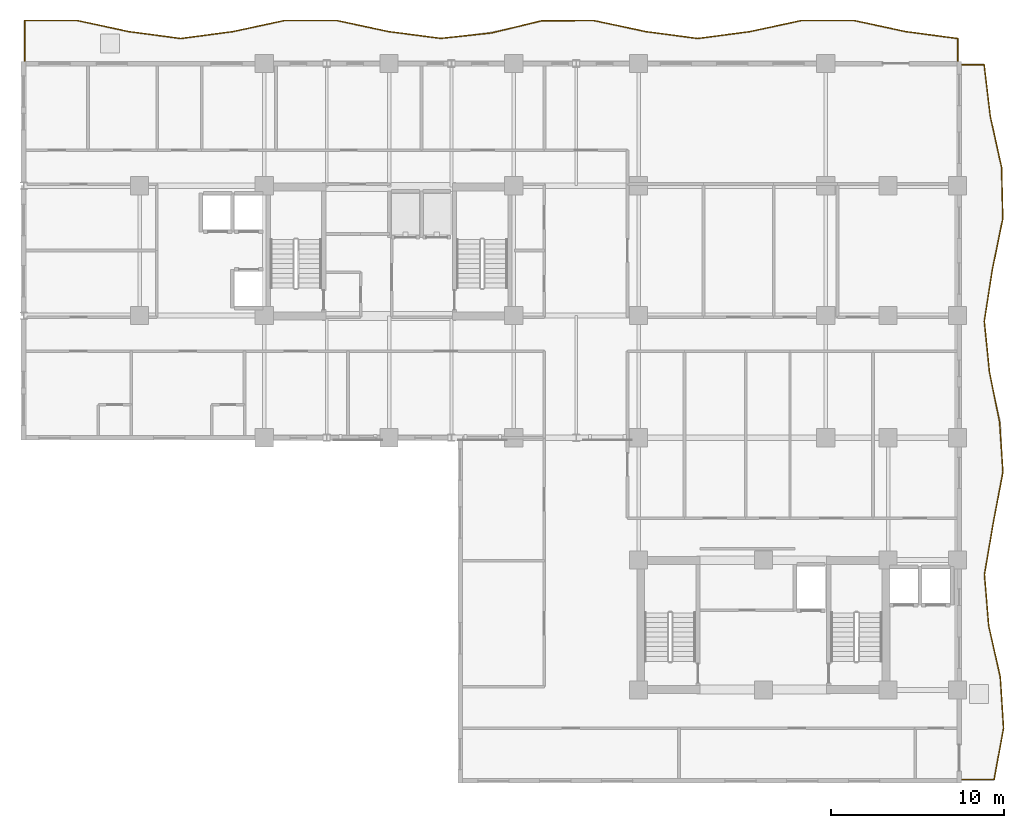
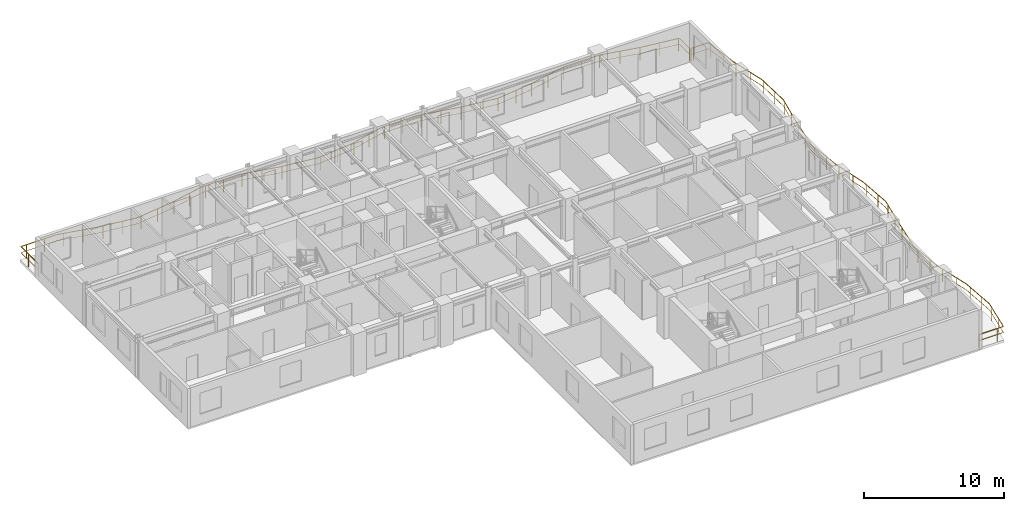
# One storey, part 13 of 14: 2 railings.
"""IFC4 building model written with IfcOpenShell, lengths in metres."""

from ifc_helpers import new_model, si_unit, direction, frame, origin, origin_2d, place, context, subcontext, project, spatial, rectangle, extrude, material, type_object, element, save


model = new_model("IFC4")

# Units and contexts
model_context = context("Model", 3, precision=1e-05, world=origin(), true_north=direction((0.0, 1.0)))
body_context = subcontext(model_context, "Body", "Model", "MODEL_VIEW")
ifc_project = project(units=[si_unit("LENGTHUNIT", "METRE"), si_unit("AREAUNIT", "SQUARE_METRE"), si_unit("VOLUMEUNIT", "CUBIC_METRE"), si_unit("PLANEANGLEUNIT", "RADIAN"), si_unit("MASSUNIT", "GRAM", prefix="KILO")], contexts=[model_context])

# Site, building, storey
site_placement = place(None, origin())
site = spatial("IfcSite", under=ifc_project, at=site_placement, CompositionType="ELEMENT")
building_placement = place(site_placement, origin())
building = spatial("IfcBuilding", under=site, at=building_placement, Name="Kaliganga Portal Commons", CompositionType="ELEMENT")
storey_placement = place(building_placement, frame((0.0, 0.0, 151.300048828125)))
storey = spatial("IfcBuildingStorey", under=building, at=storey_placement, Name="L38", CompositionType="ELEMENT", Elevation=151.300048828125)

# Railings
ifc_material = material(Name="Laminated Safety Glass and Stainless Steel 316", Category="steel")
railing_type = type_object("IfcRailingType", Name="RLG-BAL-1150", PredefinedType="BALUSTRADE", material=ifc_material)
railing_1_placement = place(storey_placement, frame((54.420166015625, 43.205322265625, 0.0)))
element("IfcRailing", 1, at=railing_1_placement, inside=storey, type_object=railing_type, Name="Balcony Guardrail L38 balc_north", PredefinedType="BALUSTRADE", context=body_context, shape_type="SweptSolid", body=[
    extrude(rectangle(XDim=0.048095703125, YDim=0.048095703125, at=origin_2d()), frame((0.0, 0.0, 1.1259765625), z_axis=(-0.000169692853, 0.999999985602, 0.0), x_axis=(-0.999999985602, -0.000169692853, 0.0)), (0.0, 0.0, 1.0), 1.438720703125),
    extrude(rectangle(XDim=0.028076171875, YDim=0.028076171875, at=origin_2d()), frame((0.0, 0.0, 0.597900390625), z_axis=(-0.000169692853, 0.999999985602, 0.0), x_axis=(-0.999999985602, -0.000169692853, 0.0)), (0.0, 0.0, 1.0), 1.438720703125),
    extrude(rectangle(XDim=0.048095703125, YDim=0.048095703125, at=origin_2d()), frame((-0.000244140625, 1.438720703125, 1.1259765625), z_axis=(-0.99128487682, 0.131735693672, 0.0), x_axis=(-0.131735693672, -0.99128487682, 0.0)), (0.0, 0.0, 1.0), 3.0263671875),
    extrude(rectangle(XDim=0.028076171875, YDim=0.028076171875, at=origin_2d()), frame((-0.000244140625, 1.438720703125, 0.597900390625), z_axis=(-0.99128487682, 0.131735693672, 0.0), x_axis=(-0.131735693672, -0.99128487682, 0.0)), (0.0, 0.0, 1.0), 3.0263671875),
    extrude(rectangle(XDim=0.048095703125, YDim=0.048095703125, at=origin_2d()), frame((-3.000244140625, 1.83740234375, 1.1259765625), z_axis=(-0.977706833375, 0.209974636497, 0.0), x_axis=(-0.209974636497, -0.977706833375, 0.0)), (0.0, 0.0, 1.0), 3.068359375),
    extrude(rectangle(XDim=0.028076171875, YDim=0.028076171875, at=origin_2d()), frame((-3.000244140625, 1.83740234375, 0.597900390625), z_axis=(-0.977706833375, 0.209974636497, 0.0), x_axis=(-0.209974636497, -0.977706833375, 0.0)), (0.0, 0.0, 1.0), 3.068359375),
    extrude(rectangle(XDim=0.048095703125, YDim=0.048095703125, at=origin_2d()), frame((-6.000244140625, 2.481689453125, 1.1259765625), z_axis=(-0.999999986752, -0.000162773661, 0.0), x_axis=(0.000162773661, -0.999999986752, 0.0)), (0.0, 0.0, 1.0), 2.999755859375),
    extrude(rectangle(XDim=0.028076171875, YDim=0.028076171875, at=origin_2d()), frame((-6.000244140625, 2.481689453125, 0.597900390625), z_axis=(-0.999999986752, -0.000162773661, 0.0), x_axis=(0.000162773661, -0.999999986752, 0.0)), (0.0, 0.0, 1.0), 2.999755859375),
    extrude(rectangle(XDim=0.048095703125, YDim=0.048095703125, at=origin_2d()), frame((-9.0, 2.481201171875, 1.1259765625), z_axis=(-0.977742994053, -0.209806190521, 0.0), x_axis=(0.209806190521, -0.977742994053, 0.0)), (0.0, 0.0, 1.0), 3.068603515625),
    extrude(rectangle(XDim=0.028076171875, YDim=0.028076171875, at=origin_2d()), frame((-9.0, 2.481201171875, 0.597900390625), z_axis=(-0.977742994053, -0.209806190521, 0.0), x_axis=(0.209806190521, -0.977742994053, 0.0)), (0.0, 0.0, 1.0), 3.068603515625),
    extrude(rectangle(XDim=0.048095703125, YDim=0.048095703125, at=origin_2d()), frame((-12.000244140625, 1.83740234375, 1.1259765625), z_axis=(-0.991347974495, -0.131260022339, 0.0), x_axis=(0.131260022339, -0.991347974495, 0.0)), (0.0, 0.0, 1.0), 3.026123046875),
    extrude(rectangle(XDim=0.028076171875, YDim=0.028076171875, at=origin_2d()), frame((-12.000244140625, 1.83740234375, 0.597900390625), z_axis=(-0.991347974495, -0.131260022339, 0.0), x_axis=(0.131260022339, -0.991347974495, 0.0)), (0.0, 0.0, 1.0), 3.026123046875),
    extrude(rectangle(XDim=0.048095703125, YDim=0.048095703125, at=origin_2d()), frame((-15.000244140625, 1.440185546875, 1.1259765625), z_axis=(-0.991347974495, 0.131260022339, 0.0), x_axis=(-0.131260022339, -0.991347974495, 0.0)), (0.0, 0.0, 1.0), 3.026123046875),
    extrude(rectangle(XDim=0.028076171875, YDim=0.028076171875, at=origin_2d()), frame((-15.000244140625, 1.440185546875, 0.597900390625), z_axis=(-0.991347974495, 0.131260022339, 0.0), x_axis=(-0.131260022339, -0.991347974495, 0.0)), (0.0, 0.0, 1.0), 3.026123046875),
    extrude(rectangle(XDim=0.048095703125, YDim=0.048095703125, at=origin_2d()), frame((-18.000244140625, 1.83740234375, 1.1259765625), z_axis=(-0.978106618555, 0.208104403459, 0.0), x_axis=(-0.208104403459, -0.978106618555, 0.0)), (0.0, 0.0, 1.0), 3.066650390625),
    extrude(rectangle(XDim=0.028076171875, YDim=0.028076171875, at=origin_2d()), frame((-18.000244140625, 1.83740234375, 0.597900390625), z_axis=(-0.978106618555, 0.208104403459, 0.0), x_axis=(-0.208104403459, -0.978106618555, 0.0)), (0.0, 0.0, 1.0), 3.066650390625),
    extrude(rectangle(XDim=0.048095703125, YDim=0.048095703125, at=origin_2d()), frame((-20.999755859375, 2.4755859375, 1.1259765625), z_axis=(-0.999996168338, -0.002768268175, 0.0), x_axis=(0.002768268175, -0.999996168338, 0.0)), (0.0, 0.0, 1.0), 2.99853515625),
    extrude(rectangle(XDim=0.028076171875, YDim=0.028076171875, at=origin_2d()), frame((-20.999755859375, 2.4755859375, 0.597900390625), z_axis=(-0.999996168338, -0.002768268175, 0.0), x_axis=(0.002768268175, -0.999996168338, 0.0)), (0.0, 0.0, 1.0), 2.99853515625),
    extrude(rectangle(XDim=0.048095703125, YDim=0.048095703125, at=origin_2d()), frame((-23.998291015625, 2.46728515625, 1.1259765625), z_axis=(-0.971726032894, -0.236111238608, 0.0), x_axis=(0.236111238608, -0.971726032894, 0.0)), (0.0, 0.0, 1.0), 3.0068359375),
    extrude(rectangle(XDim=0.028076171875, YDim=0.028076171875, at=origin_2d()), frame((-23.998291015625, 2.46728515625, 0.597900390625), z_axis=(-0.971726032894, -0.236111238608, 0.0), x_axis=(0.236111238608, -0.971726032894, 0.0)), (0.0, 0.0, 1.0), 3.0068359375),
    extrude(rectangle(XDim=0.048095703125, YDim=0.048095703125, at=origin_2d()), frame((-26.920166015625, 1.75732421875, 1.1259765625), z_axis=(-0.994438293084, -0.105320849063, 0.0), x_axis=(0.105320849063, -0.994438293084, 0.0)), (0.0, 0.0, 1.0), 2.93701171875),
    extrude(rectangle(XDim=0.028076171875, YDim=0.028076171875, at=origin_2d()), frame((-26.920166015625, 1.75732421875, 0.597900390625), z_axis=(-0.994438293084, -0.105320849063, 0.0), x_axis=(0.105320849063, -0.994438293084, 0.0)), (0.0, 0.0, 1.0), 2.93701171875),
    extrude(rectangle(XDim=0.048095703125, YDim=0.048095703125, at=origin_2d()), frame((-29.8408203125, 1.447998046875, 1.1259765625), z_axis=(-0.991687062692, 0.128673111757, 0.0), x_axis=(-0.128673111757, -0.991687062692, 0.0)), (0.0, 0.0, 1.0), 3.0244140625),
    extrude(rectangle(XDim=0.028076171875, YDim=0.028076171875, at=origin_2d()), frame((-29.8408203125, 1.447998046875, 0.597900390625), z_axis=(-0.991687062692, 0.128673111757, 0.0), x_axis=(-0.128673111757, -0.991687062692, 0.0)), (0.0, 0.0, 1.0), 3.0244140625),
    extrude(rectangle(XDim=0.048095703125, YDim=0.048095703125, at=origin_2d()), frame((-32.840087890625, 1.837158203125, 1.1259765625), z_axis=(-0.977922201683, 0.208969297878, 0.0), x_axis=(-0.208969297878, -0.977922201683, 0.0)), (0.0, 0.0, 1.0), 3.06787109375),
    extrude(rectangle(XDim=0.028076171875, YDim=0.028076171875, at=origin_2d()), frame((-32.840087890625, 1.837158203125, 0.597900390625), z_axis=(-0.977922201683, 0.208969297878, 0.0), x_axis=(-0.208969297878, -0.977922201683, 0.0)), (0.0, 0.0, 1.0), 3.06787109375),
    extrude(rectangle(XDim=0.048095703125, YDim=0.048095703125, at=origin_2d()), frame((-35.84033203125, 2.478271484375, 1.1259765625), z_axis=(-0.999999837743, 0.000569661366, 0.0), x_axis=(-0.000569661366, -0.999999837743, 0.0)), (0.0, 0.0, 1.0), 3.0),
    extrude(rectangle(XDim=0.028076171875, YDim=0.028076171875, at=origin_2d()), frame((-35.84033203125, 2.478271484375, 0.597900390625), z_axis=(-0.999999837743, 0.000569661366, 0.0), x_axis=(-0.000569661366, -0.999999837743, 0.0)), (0.0, 0.0, 1.0), 3.0),
    extrude(rectangle(XDim=0.048095703125, YDim=0.048095703125, at=origin_2d()), frame((-38.84033203125, 2.47998046875, 1.1259765625), z_axis=(-0.977817551415, -0.209458435364, 0.0), x_axis=(0.209458435364, -0.977817551415, 0.0)), (0.0, 0.0, 1.0), 3.06787109375),
    extrude(rectangle(XDim=0.028076171875, YDim=0.028076171875, at=origin_2d()), frame((-38.84033203125, 2.47998046875, 0.597900390625), z_axis=(-0.977817551415, -0.209458435364, 0.0), x_axis=(0.209458435364, -0.977817551415, 0.0)), (0.0, 0.0, 1.0), 3.06787109375),
    extrude(rectangle(XDim=0.048095703125, YDim=0.048095703125, at=origin_2d()), frame((-41.840087890625, 1.83740234375, 1.1259765625), z_axis=(-0.991316453184, -0.13149786936, 0.0), x_axis=(0.13149786936, -0.991316453184, 0.0)), (0.0, 0.0, 1.0), 3.0263671875),
    extrude(rectangle(XDim=0.028076171875, YDim=0.028076171875, at=origin_2d()), frame((-41.840087890625, 1.83740234375, 0.597900390625), z_axis=(-0.991316453184, -0.13149786936, 0.0), x_axis=(0.13149786936, -0.991316453184, 0.0)), (0.0, 0.0, 1.0), 3.0263671875),
    extrude(rectangle(XDim=0.048095703125, YDim=0.048095703125, at=origin_2d()), frame((-44.840087890625, 1.439453125, 1.1259765625), z_axis=(-0.991316453184, 0.13149786936, 0.0), x_axis=(-0.13149786936, -0.991316453184, 0.0)), (0.0, 0.0, 1.0), 3.0263671875),
    extrude(rectangle(XDim=0.028076171875, YDim=0.028076171875, at=origin_2d()), frame((-44.840087890625, 1.439453125, 0.597900390625), z_axis=(-0.991316453184, 0.13149786936, 0.0), x_axis=(-0.13149786936, -0.991316453184, 0.0)), (0.0, 0.0, 1.0), 3.0263671875),
    extrude(rectangle(XDim=0.048095703125, YDim=0.048095703125, at=origin_2d()), frame((-47.840087890625, 1.83740234375, 1.1259765625), z_axis=(-0.977690496299, 0.210050692564, 0.0), x_axis=(-0.210050692564, -0.977690496299, 0.0)), (0.0, 0.0, 1.0), 3.068359375),
    extrude(rectangle(XDim=0.028076171875, YDim=0.028076171875, at=origin_2d()), frame((-47.840087890625, 1.83740234375, 0.597900390625), z_axis=(-0.977690496299, 0.210050692564, 0.0), x_axis=(-0.210050692564, -0.977690496299, 0.0)), (0.0, 0.0, 1.0), 3.068359375),
    extrude(rectangle(XDim=0.048095703125, YDim=0.048095703125, at=origin_2d()), frame((-50.840087890625, 2.48193359375, 1.1259765625), z_axis=(-0.999999996689, 8.1380208e-05, 0.0), x_axis=(-8.1380208e-05, -0.999999996689, 0.0)), (0.0, 0.0, 1.0), 3.0),
    extrude(rectangle(XDim=0.028076171875, YDim=0.028076171875, at=origin_2d()), frame((-50.840087890625, 2.48193359375, 0.597900390625), z_axis=(-0.999999996689, 8.1380208e-05, 0.0), x_axis=(-8.1380208e-05, -0.999999996689, 0.0)), (0.0, 0.0, 1.0), 3.0),
    extrude(rectangle(XDim=0.048095703125, YDim=0.048095703125, at=origin_2d()), frame((-53.840087890625, 2.482177734375, 1.1259765625), z_axis=(-9.835743e-05, -0.999999995163, 0.0), x_axis=(0.999999995163, -9.835743e-05, 0.0)), (0.0, 0.0, 1.0), 2.482177734375),
    extrude(rectangle(XDim=0.028076171875, YDim=0.028076171875, at=origin_2d()), frame((-53.840087890625, 2.482177734375, 0.597900390625), z_axis=(-9.835743e-05, -0.999999995163, 0.0), x_axis=(0.999999995163, -9.835743e-05, 0.0)), (0.0, 0.0, 1.0), 2.482177734375),
    extrude(rectangle(XDim=0.0419921875, YDim=0.0419921875, at=origin_2d()), origin(), (0.0, 0.0, 1.0), 1.101806640625),
    extrude(rectangle(XDim=0.0419921875, YDim=0.0419921875, at=origin_2d()), frame((-0.06103515625, 1.44677734375, 0.0)), (0.0, 0.0, 1.0), 1.101806640625),
    extrude(rectangle(XDim=0.0419921875, YDim=0.0419921875, at=origin_2d()), frame((-1.5478515625, 1.644287109375, 0.0)), (0.0, 0.0, 1.0), 1.101806640625),
    extrude(rectangle(XDim=0.0419921875, YDim=0.0419921875, at=origin_2d()), frame((-3.034423828125, 1.8447265625, 0.0)), (0.0, 0.0, 1.0), 1.101806640625),
    extrude(rectangle(XDim=0.0419921875, YDim=0.0419921875, at=origin_2d()), frame((-4.5009765625, 2.15966796875, 0.0)), (0.0, 0.0, 1.0), 1.101806640625),
    extrude(rectangle(XDim=0.0419921875, YDim=0.0419921875, at=origin_2d()), frame((-6.000244140625, 2.481689453125, 0.0)), (0.0, 0.0, 1.0), 1.101806640625),
    extrude(rectangle(XDim=0.0419921875, YDim=0.0419921875, at=origin_2d()), frame((-7.466796875, 2.4814453125, 0.0)), (0.0, 0.0, 1.0), 1.101806640625),
    extrude(rectangle(XDim=0.0419921875, YDim=0.0419921875, at=origin_2d()), frame((-9.0, 2.481201171875, 0.0)), (0.0, 0.0, 1.0), 1.101806640625),
    extrude(rectangle(XDim=0.0419921875, YDim=0.0419921875, at=origin_2d()), frame((-10.43408203125, 2.173583984375, 0.0)), (0.0, 0.0, 1.0), 1.101806640625),
    extrude(rectangle(XDim=0.0419921875, YDim=0.0419921875, at=origin_2d()), frame((-12.000244140625, 1.83740234375, 0.0)), (0.0, 0.0, 1.0), 1.101806640625),
    extrude(rectangle(XDim=0.0419921875, YDim=0.0419921875, at=origin_2d()), frame((-13.38623046875, 1.65380859375, 0.0)), (0.0, 0.0, 1.0), 1.101806640625),
    extrude(rectangle(XDim=0.0419921875, YDim=0.0419921875, at=origin_2d()), frame((-15.000244140625, 1.440185546875, 0.0)), (0.0, 0.0, 1.0), 1.101806640625),
    extrude(rectangle(XDim=0.0419921875, YDim=0.0419921875, at=origin_2d()), frame((-16.3603515625, 1.620361328125, 0.0)), (0.0, 0.0, 1.0), 1.101806640625),
    extrude(rectangle(XDim=0.0419921875, YDim=0.0419921875, at=origin_2d()), frame((-17.847412109375, 1.817138671875, 0.0)), (0.0, 0.0, 1.0), 1.101806640625),
    extrude(rectangle(XDim=0.0419921875, YDim=0.0419921875, at=origin_2d()), frame((-19.316650390625, 2.117431640625, 0.0)), (0.0, 0.0, 1.0), 1.101806640625),
    extrude(rectangle(XDim=0.0419921875, YDim=0.0419921875, at=origin_2d()), frame((-20.78369140625, 2.4296875, 0.0)), (0.0, 0.0, 1.0), 1.101806640625),
    extrude(rectangle(XDim=0.0419921875, YDim=0.0419921875, at=origin_2d()), frame((-22.279052734375, 2.471923828125, 0.0)), (0.0, 0.0, 1.0), 1.101806640625),
    extrude(rectangle(XDim=0.0419921875, YDim=0.0419921875, at=origin_2d()), frame((-23.779052734375, 2.4677734375, 0.0)), (0.0, 0.0, 1.0), 1.101806640625),
    extrude(rectangle(XDim=0.0419921875, YDim=0.0419921875, at=origin_2d()), frame((-25.24267578125, 2.164794921875, 0.0)), (0.0, 0.0, 1.0), 1.101806640625),
    extrude(rectangle(XDim=0.0419921875, YDim=0.0419921875, at=origin_2d()), frame((-26.7001953125, 1.810791015625, 0.0)), (0.0, 0.0, 1.0), 1.101806640625),
    extrude(rectangle(XDim=0.0419921875, YDim=0.0419921875, at=origin_2d()), frame((-28.186767578125, 1.623291015625, 0.0)), (0.0, 0.0, 1.0), 1.101806640625),
    extrude(rectangle(XDim=0.0419921875, YDim=0.0419921875, at=origin_2d()), frame((-29.678466796875, 1.465087890625, 0.0)), (0.0, 0.0, 1.0), 1.101806640625),
    extrude(rectangle(XDim=0.0419921875, YDim=0.0419921875, at=origin_2d()), frame((-31.16650390625, 1.6201171875, 0.0)), (0.0, 0.0, 1.0), 1.101806640625),
    extrude(rectangle(XDim=0.0419921875, YDim=0.0419921875, at=origin_2d()), frame((-32.654052734375, 1.81298828125, 0.0)), (0.0, 0.0, 1.0), 1.101806640625),
    extrude(rectangle(XDim=0.0419921875, YDim=0.0419921875, at=origin_2d()), frame((-34.12353515625, 2.111328125, 0.0)), (0.0, 0.0, 1.0), 1.101806640625),
    extrude(rectangle(XDim=0.0419921875, YDim=0.0419921875, at=origin_2d()), frame((-35.59033203125, 2.4248046875, 0.0)), (0.0, 0.0, 1.0), 1.101806640625),
    extrude(rectangle(XDim=0.0419921875, YDim=0.0419921875, at=origin_2d()), frame((-37.084716796875, 2.47900390625, 0.0)), (0.0, 0.0, 1.0), 1.101806640625),
    extrude(rectangle(XDim=0.0419921875, YDim=0.0419921875, at=origin_2d()), frame((-38.584716796875, 2.479736328125, 0.0)), (0.0, 0.0, 1.0), 1.101806640625),
    extrude(rectangle(XDim=0.0419921875, YDim=0.0419921875, at=origin_2d()), frame((-40.05712890625, 2.21923828125, 0.0)), (0.0, 0.0, 1.0), 1.101806640625),
    extrude(rectangle(XDim=0.0419921875, YDim=0.0419921875, at=origin_2d()), frame((-41.52392578125, 1.905029296875, 0.0)), (0.0, 0.0, 1.0), 1.101806640625),
    extrude(rectangle(XDim=0.0419921875, YDim=0.0419921875, at=origin_2d()), frame((-43.00634765625, 1.6826171875, 0.0)), (0.0, 0.0, 1.0), 1.101806640625),
    extrude(rectangle(XDim=0.0419921875, YDim=0.0419921875, at=origin_2d()), frame((-44.493408203125, 1.4853515625, 0.0)), (0.0, 0.0, 1.0), 1.101806640625),
    extrude(rectangle(XDim=0.0419921875, YDim=0.0419921875, at=origin_2d()), frame((-45.98046875, 1.5908203125, 0.0)), (0.0, 0.0, 1.0), 1.101806640625),
    extrude(rectangle(XDim=0.0419921875, YDim=0.0419921875, at=origin_2d()), frame((-47.46728515625, 1.787841796875, 0.0)), (0.0, 0.0, 1.0), 1.101806640625),
    extrude(rectangle(XDim=0.0419921875, YDim=0.0419921875, at=origin_2d()), frame((-48.93896484375, 2.073486328125, 0.0)), (0.0, 0.0, 1.0), 1.101806640625),
    extrude(rectangle(XDim=0.0419921875, YDim=0.0419921875, at=origin_2d()), frame((-50.405517578125, 2.388671875, 0.0)), (0.0, 0.0, 1.0), 1.101806640625),
    extrude(rectangle(XDim=0.0419921875, YDim=0.0419921875, at=origin_2d()), frame((-51.895751953125, 2.48193359375, 0.0)), (0.0, 0.0, 1.0), 1.101806640625),
    extrude(rectangle(XDim=0.0419921875, YDim=0.0419921875, at=origin_2d()), frame((-53.395751953125, 2.482177734375, 0.0)), (0.0, 0.0, 1.0), 1.101806640625),
    extrude(rectangle(XDim=0.0419921875, YDim=0.0419921875, at=origin_2d()), frame((-53.840087890625, 1.426513671875, 0.0)), (0.0, 0.0, 1.0), 1.101806640625),
    extrude(rectangle(XDim=0.0419921875, YDim=0.0419921875, at=origin_2d()), frame((-53.84033203125, 0.0, 0.0)), (0.0, 0.0, 1.0), 1.101806640625),
])
railing_2_placement = place(storey_placement, frame((54.5068359375, 1.879638671875, 0.0)))
element("IfcRailing", 2, at=railing_2_placement, inside=storey, type_object=railing_type, Name="Balcony Guardrail L38 balc_east", PredefinedType="BALUSTRADE", context=body_context, shape_type="SweptSolid", body=[
    extrude(rectangle(XDim=0.048095703125, YDim=0.048095703125, at=origin_2d()), frame((0.0, 0.0, 1.1259765625), z_axis=(0.99999999265, 0.000121241512, 0.0), x_axis=(-0.000121241512, 0.99999999265, 0.0)), (0.0, 0.0, 1.0), 2.013671875),
    extrude(rectangle(XDim=0.028076171875, YDim=0.028076171875, at=origin_2d()), frame((0.0, 0.0, 0.597900390625), z_axis=(0.99999999265, 0.000121241512, 0.0), x_axis=(-0.000121241512, 0.99999999265, 0.0)), (0.0, 0.0, 1.0), 2.013671875),
    extrude(rectangle(XDim=0.048095703125, YDim=0.048095703125, at=origin_2d()), frame((2.013671875, 0.000244140625, 1.1259765625), z_axis=(0.181071495667, 0.983469935208, 0.0), x_axis=(-0.983469935208, 0.181071495667, 0.0)), (0.0, 0.0, 1.0), 3.0068359375),
    extrude(rectangle(XDim=0.028076171875, YDim=0.028076171875, at=origin_2d()), frame((2.013671875, 0.000244140625, 0.597900390625), z_axis=(0.181071495667, 0.983469935208, 0.0), x_axis=(-0.983469935208, 0.181071495667, 0.0)), (0.0, 0.0, 1.0), 3.0068359375),
    extrude(rectangle(XDim=0.048095703125, YDim=0.048095703125, at=origin_2d()), frame((2.55810546875, 2.957275390625, 1.1259765625), z_axis=(-0.064096442294, 0.997943708876, 0.0), x_axis=(-0.997943708876, -0.064096442294, 0.0)), (0.0, 0.0, 1.0), 2.96337890625),
    extrude(rectangle(XDim=0.028076171875, YDim=0.028076171875, at=origin_2d()), frame((2.55810546875, 2.957275390625, 0.597900390625), z_axis=(-0.064096442294, 0.997943708876, 0.0), x_axis=(-0.997943708876, -0.064096442294, 0.0)), (0.0, 0.0, 1.0), 2.96337890625),
    extrude(rectangle(XDim=0.048095703125, YDim=0.048095703125, at=origin_2d()), frame((2.3681640625, 5.91455078125, 1.1259765625), z_axis=(-0.220092788407, 0.97547894108, 0.0), x_axis=(-0.97547894108, -0.220092788407, 0.0)), (0.0, 0.0, 1.0), 3.031494140625),
    extrude(rectangle(XDim=0.028076171875, YDim=0.028076171875, at=origin_2d()), frame((2.3681640625, 5.91455078125, 0.597900390625), z_axis=(-0.220092788407, 0.97547894108, 0.0), x_axis=(-0.97547894108, -0.220092788407, 0.0)), (0.0, 0.0, 1.0), 3.031494140625),
    extrude(rectangle(XDim=0.048095703125, YDim=0.048095703125, at=origin_2d()), frame((1.700927734375, 8.871826171875, 1.1259765625), z_axis=(-0.082527948874, 0.996588750516, 0.0), x_axis=(-0.996588750516, -0.082527948874, 0.0)), (0.0, 0.0, 1.0), 2.967041015625),
    extrude(rectangle(XDim=0.028076171875, YDim=0.028076171875, at=origin_2d()), frame((1.700927734375, 8.871826171875, 0.597900390625), z_axis=(-0.082527948874, 0.996588750516, 0.0), x_axis=(-0.996588750516, -0.082527948874, 0.0)), (0.0, 0.0, 1.0), 2.967041015625),
    extrude(rectangle(XDim=0.048095703125, YDim=0.048095703125, at=origin_2d()), frame((1.4560546875, 11.828857421875, 1.1259765625), z_axis=(0.168132523146, 0.985764401194, 0.0), x_axis=(-0.985764401194, 0.168132523146, 0.0)), (0.0, 0.0, 1.0), 3.0),
    extrude(rectangle(XDim=0.028076171875, YDim=0.028076171875, at=origin_2d()), frame((1.4560546875, 11.828857421875, 0.597900390625), z_axis=(0.168132523146, 0.985764401194, 0.0), x_axis=(-0.985764401194, 0.168132523146, 0.0)), (0.0, 0.0, 1.0), 3.0),
    extrude(rectangle(XDim=0.048095703125, YDim=0.048095703125, at=origin_2d()), frame((1.96044921875, 14.7861328125, 1.1259765625), z_axis=(0.186865911228, 0.982385429056, 0.0), x_axis=(-0.982385429056, 0.186865911228, 0.0)), (0.0, 0.0, 1.0), 3.007568359375),
    extrude(rectangle(XDim=0.028076171875, YDim=0.028076171875, at=origin_2d()), frame((1.96044921875, 14.7861328125, 0.597900390625), z_axis=(0.186865911228, 0.982385429056, 0.0), x_axis=(-0.982385429056, 0.186865911228, 0.0)), (0.0, 0.0, 1.0), 3.007568359375),
    extrude(rectangle(XDim=0.048095703125, YDim=0.048095703125, at=origin_2d()), frame((2.5224609375, 17.74072265625, 1.1259765625), z_axis=(-0.066490937245, 0.997787029012, 0.0), x_axis=(-0.997787029012, -0.066490937245, 0.0)), (0.0, 0.0, 1.0), 2.885986328125),
    extrude(rectangle(XDim=0.028076171875, YDim=0.028076171875, at=origin_2d()), frame((2.5224609375, 17.74072265625, 0.597900390625), z_axis=(-0.066490937245, 0.997787029012, 0.0), x_axis=(-0.997787029012, -0.066490937245, 0.0)), (0.0, 0.0, 1.0), 2.885986328125),
    extrude(rectangle(XDim=0.048095703125, YDim=0.048095703125, at=origin_2d()), frame((2.33056640625, 20.620361328125, 1.1259765625), z_axis=(-0.199073650247, 0.979984531397, 0.0), x_axis=(-0.979984531397, -0.199073650247, 0.0)), (0.0, 0.0, 1.0), 2.93603515625),
    extrude(rectangle(XDim=0.028076171875, YDim=0.028076171875, at=origin_2d()), frame((2.33056640625, 20.620361328125, 0.597900390625), z_axis=(-0.199073650247, 0.979984531397, 0.0), x_axis=(-0.979984531397, -0.199073650247, 0.0)), (0.0, 0.0, 1.0), 2.93603515625),
    extrude(rectangle(XDim=0.048095703125, YDim=0.048095703125, at=origin_2d()), frame((1.74609375, 23.49755859375, 1.1259765625), z_axis=(-0.100536485393, 0.994933372194, 0.0), x_axis=(-0.994933372194, -0.100536485393, 0.0)), (0.0, 0.0, 1.0), 2.972412109375),
    extrude(rectangle(XDim=0.028076171875, YDim=0.028076171875, at=origin_2d()), frame((1.74609375, 23.49755859375, 0.597900390625), z_axis=(-0.100536485393, 0.994933372194, 0.0), x_axis=(-0.994933372194, -0.100536485393, 0.0)), (0.0, 0.0, 1.0), 2.972412109375),
    extrude(rectangle(XDim=0.048095703125, YDim=0.048095703125, at=origin_2d()), frame((1.447265625, 26.454833984375, 1.1259765625), z_axis=(0.154655563067, 0.9879684493, 0.0), x_axis=(-0.9879684493, 0.154655563067, 0.0)), (0.0, 0.0, 1.0), 2.9931640625),
    extrude(rectangle(XDim=0.028076171875, YDim=0.028076171875, at=origin_2d()), frame((1.447265625, 26.454833984375, 0.597900390625), z_axis=(0.154655563067, 0.9879684493, 0.0), x_axis=(-0.9879684493, 0.154655563067, 0.0)), (0.0, 0.0, 1.0), 2.9931640625),
    extrude(rectangle(XDim=0.048095703125, YDim=0.048095703125, at=origin_2d()), frame((1.91015625, 29.411865234375, 1.1259765625), z_axis=(0.200112143966, 0.979772999137, 0.0), x_axis=(-0.979772999137, 0.200112143966, 0.0)), (0.0, 0.0, 1.0), 3.018310546875),
    extrude(rectangle(XDim=0.028076171875, YDim=0.028076171875, at=origin_2d()), frame((1.91015625, 29.411865234375, 0.597900390625), z_axis=(0.200112143966, 0.979772999137, 0.0), x_axis=(-0.979772999137, 0.200112143966, 0.0)), (0.0, 0.0, 1.0), 3.018310546875),
    extrude(rectangle(XDim=0.048095703125, YDim=0.048095703125, at=origin_2d()), frame((2.51416015625, 32.369140625, 1.1259765625), z_axis=(-0.023936336741, 0.999713484846, 0.0), x_axis=(-0.999713484846, -0.023936336741, 0.0)), (0.0, 0.0, 1.0), 2.957763671875),
    extrude(rectangle(XDim=0.028076171875, YDim=0.028076171875, at=origin_2d()), frame((2.51416015625, 32.369140625, 0.597900390625), z_axis=(-0.023936336741, 0.999713484846, 0.0), x_axis=(-0.999713484846, -0.023936336741, 0.0)), (0.0, 0.0, 1.0), 2.957763671875),
    extrude(rectangle(XDim=0.048095703125, YDim=0.048095703125, at=origin_2d()), frame((2.443359375, 35.326171875, 1.1259765625), z_axis=(-0.215120184134, 0.976587582544, 0.0), x_axis=(-0.976587582544, -0.215120184134, 0.0)), (0.0, 0.0, 1.0), 3.02783203125),
    extrude(rectangle(XDim=0.028076171875, YDim=0.028076171875, at=origin_2d()), frame((2.443359375, 35.326171875, 0.597900390625), z_axis=(-0.215120184134, 0.976587582544, 0.0), x_axis=(-0.976587582544, -0.215120184134, 0.0)), (0.0, 0.0, 1.0), 3.02783203125),
    extrude(rectangle(XDim=0.048095703125, YDim=0.048095703125, at=origin_2d()), frame((1.7919921875, 38.283203125, 1.1259765625), z_axis=(-0.118695912213, 0.992930652374, 0.0), x_axis=(-0.992930652374, -0.118695912213, 0.0)), (0.0, 0.0, 1.0), 2.978271484375),
    extrude(rectangle(XDim=0.028076171875, YDim=0.028076171875, at=origin_2d()), frame((1.7919921875, 38.283203125, 0.597900390625), z_axis=(-0.118695912213, 0.992930652374, 0.0), x_axis=(-0.992930652374, -0.118695912213, 0.0)), (0.0, 0.0, 1.0), 2.978271484375),
    extrude(rectangle(XDim=0.048095703125, YDim=0.048095703125, at=origin_2d()), frame((1.4384765625, 41.240478515625, 1.1259765625), z_axis=(-0.999999985597, 0.000169721654, 0.0), x_axis=(-0.000169721654, -0.999999985597, 0.0)), (0.0, 0.0, 1.0), 1.4384765625),
    extrude(rectangle(XDim=0.028076171875, YDim=0.028076171875, at=origin_2d()), frame((1.4384765625, 41.240478515625, 0.597900390625), z_axis=(-0.999999985597, 0.000169721654, 0.0), x_axis=(-0.000169721654, -0.999999985597, 0.0)), (0.0, 0.0, 1.0), 1.4384765625),
    extrude(rectangle(XDim=0.0419921875, YDim=0.0419921875, at=origin_2d()), origin(), (0.0, 0.0, 1.0), 1.101806640625),
    extrude(rectangle(XDim=0.0419921875, YDim=0.0419921875, at=origin_2d()), frame((1.5, 0.000244140625, 0.0)), (0.0, 0.0, 1.0), 1.101806640625),
    extrude(rectangle(XDim=0.0419921875, YDim=0.0419921875, at=origin_2d()), frame((2.1923828125, 0.97021484375, 0.0)), (0.0, 0.0, 1.0), 1.101806640625),
    extrude(rectangle(XDim=0.0419921875, YDim=0.0419921875, at=origin_2d()), frame((2.4638671875, 2.445556640625, 0.0)), (0.0, 0.0, 1.0), 1.101806640625),
    extrude(rectangle(XDim=0.0419921875, YDim=0.0419921875, at=origin_2d()), frame((2.495361328125, 3.934814453125, 0.0)), (0.0, 0.0, 1.0), 1.101806640625),
    extrude(rectangle(XDim=0.0419921875, YDim=0.0419921875, at=origin_2d()), frame((2.399169921875, 5.431884765625, 0.0)), (0.0, 0.0, 1.0), 1.101806640625),
    extrude(rectangle(XDim=0.0419921875, YDim=0.0419921875, at=origin_2d()), frame((2.14453125, 6.90576171875, 0.0)), (0.0, 0.0, 1.0), 1.101806640625),
    extrude(rectangle(XDim=0.0419921875, YDim=0.0419921875, at=origin_2d()), frame((1.814453125, 8.369140625, 0.0)), (0.0, 0.0, 1.0), 1.101806640625),
    extrude(rectangle(XDim=0.0419921875, YDim=0.0419921875, at=origin_2d()), frame((1.61962890625, 9.85302734375, 0.0)), (0.0, 0.0, 1.0), 1.101806640625),
    extrude(rectangle(XDim=0.0419921875, YDim=0.0419921875, at=origin_2d()), frame((1.495849609375, 11.347900390625, 0.0)), (0.0, 0.0, 1.0), 1.101806640625),
    extrude(rectangle(XDim=0.0419921875, YDim=0.0419921875, at=origin_2d()), frame((1.627197265625, 12.831787109375, 0.0)), (0.0, 0.0, 1.0), 1.101806640625),
    extrude(rectangle(XDim=0.0419921875, YDim=0.0419921875, at=origin_2d()), frame((1.87939453125, 14.310546875, 0.0)), (0.0, 0.0, 1.0), 1.101806640625),
    extrude(rectangle(XDim=0.0419921875, YDim=0.0419921875, at=origin_2d()), frame((2.150634765625, 15.78564453125, 0.0)), (0.0, 0.0, 1.0), 1.101806640625),
    extrude(rectangle(XDim=0.0419921875, YDim=0.0419921875, at=origin_2d()), frame((2.430908203125, 17.25927734375, 0.0)), (0.0, 0.0, 1.0), 1.101806640625),
    extrude(rectangle(XDim=0.0419921875, YDim=0.0419921875, at=origin_2d()), frame((2.455322265625, 18.748291015625, 0.0)), (0.0, 0.0, 1.0), 1.101806640625),
    extrude(rectangle(XDim=0.0419921875, YDim=0.0419921875, at=origin_2d()), frame((2.35546875, 20.2451171875, 0.0)), (0.0, 0.0, 1.0), 1.101806640625),
    extrude(rectangle(XDim=0.0419921875, YDim=0.0419921875, at=origin_2d()), frame((2.10693359375, 21.7216796875, 0.0)), (0.0, 0.0, 1.0), 1.101806640625),
    extrude(rectangle(XDim=0.0419921875, YDim=0.0419921875, at=origin_2d()), frame((1.80810546875, 23.191650390625, 0.0)), (0.0, 0.0, 1.0), 1.101806640625),
    extrude(rectangle(XDim=0.0419921875, YDim=0.0419921875, at=origin_2d()), frame((1.626708984375, 24.679443359375, 0.0)), (0.0, 0.0, 1.0), 1.101806640625),
    extrude(rectangle(XDim=0.0419921875, YDim=0.0419921875, at=origin_2d()), frame((1.475830078125, 26.171875, 0.0)), (0.0, 0.0, 1.0), 1.101806640625),
    extrude(rectangle(XDim=0.0419921875, YDim=0.0419921875, at=origin_2d()), frame((1.63525390625, 27.65576171875, 0.0)), (0.0, 0.0, 1.0), 1.101806640625),
    extrude(rectangle(XDim=0.0419921875, YDim=0.0419921875, at=origin_2d()), frame((1.8671875, 29.1376953125, 0.0)), (0.0, 0.0, 1.0), 1.101806640625),
    extrude(rectangle(XDim=0.0419921875, YDim=0.0419921875, at=origin_2d()), frame((2.15478515625, 30.609619140625, 0.0)), (0.0, 0.0, 1.0), 1.101806640625),
    extrude(rectangle(XDim=0.0419921875, YDim=0.0419921875, at=origin_2d()), frame((2.455078125, 32.079345703125, 0.0)), (0.0, 0.0, 1.0), 1.101806640625),
    extrude(rectangle(XDim=0.0419921875, YDim=0.0419921875, at=origin_2d()), frame((2.4853515625, 33.572998046875, 0.0)), (0.0, 0.0, 1.0), 1.101806640625),
    extrude(rectangle(XDim=0.0419921875, YDim=0.0419921875, at=origin_2d()), frame((2.449462890625, 35.072509765625, 0.0)), (0.0, 0.0, 1.0), 1.101806640625),
    extrude(rectangle(XDim=0.0419921875, YDim=0.0419921875, at=origin_2d()), frame((2.17529296875, 36.543212890625, 0.0)), (0.0, 0.0, 1.0), 1.101806640625),
    extrude(rectangle(XDim=0.0419921875, YDim=0.0419921875, at=origin_2d()), frame((1.8525390625, 38.00830078125, 0.0)), (0.0, 0.0, 1.0), 1.101806640625),
    extrude(rectangle(XDim=0.0419921875, YDim=0.0419921875, at=origin_2d()), frame((1.6474609375, 39.492919921875, 0.0)), (0.0, 0.0, 1.0), 1.101806640625),
    extrude(rectangle(XDim=0.0419921875, YDim=0.0419921875, at=origin_2d()), frame((1.46923828125, 40.982421875, 0.0)), (0.0, 0.0, 1.0), 1.101806640625),
    extrude(rectangle(XDim=0.0419921875, YDim=0.0419921875, at=origin_2d()), frame((0.198486328125, 41.24072265625, 0.0)), (0.0, 0.0, 1.0), 1.101806640625),
    extrude(rectangle(XDim=0.0419921875, YDim=0.0419921875, at=origin_2d()), frame((0.0, 41.24072265625, 0.0)), (0.0, 0.0, 1.0), 1.101806640625),
])

save(model, "model.ifc")
